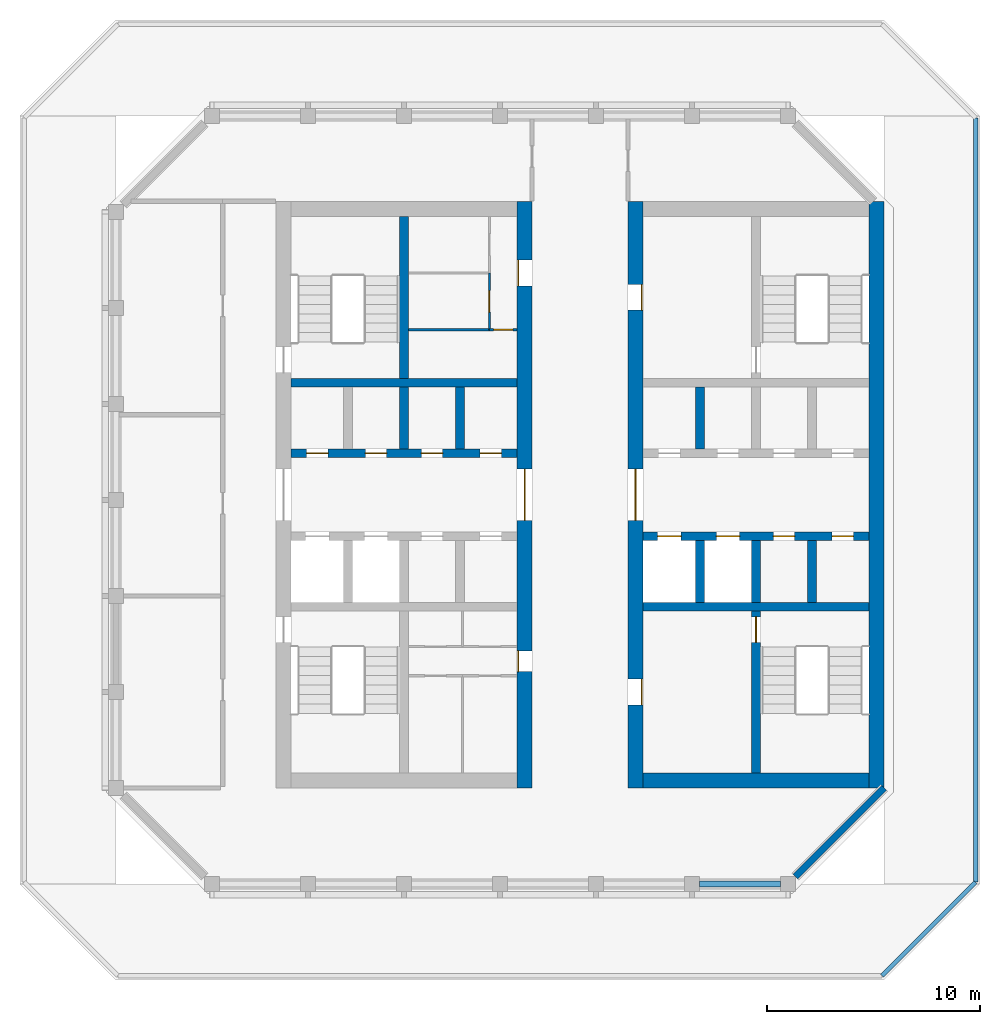
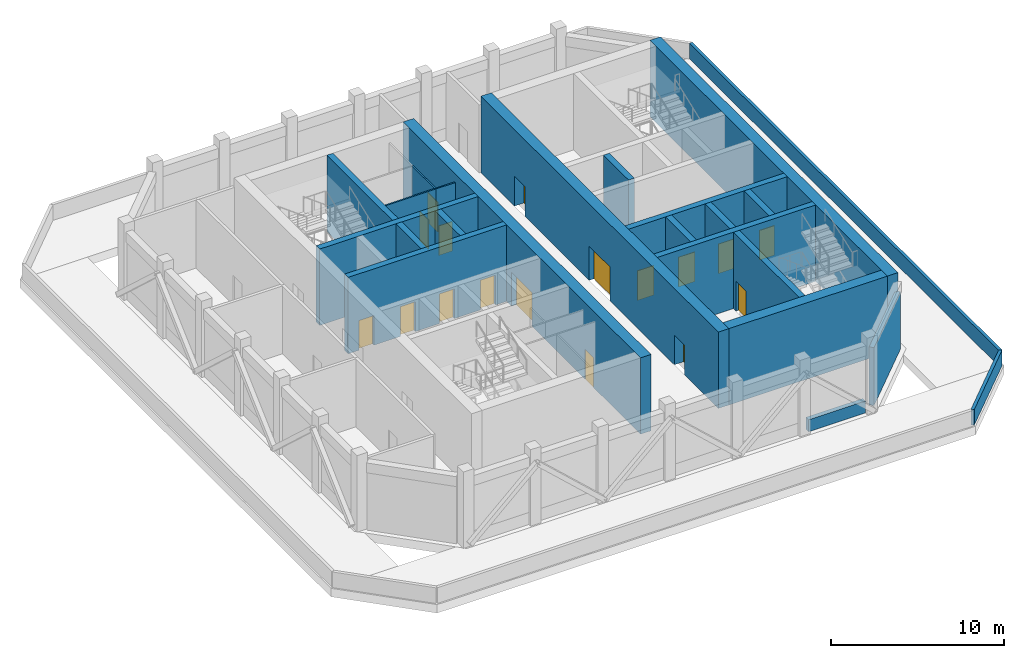
# One storey, part 3 of 8: 23 walls, 17 doors, 17 openings.
"""IFC4 building model written with IfcOpenShell, lengths in metres."""

import ifcopenshell
import ifcopenshell.guid

model = None  # the IFC model being written
_history = None  # IfcOwnerHistory: only IFC2X3 demands one
_inside = {}  # id of a spatial element -> (the spatial element, [elements in it])
_under = {}  # id of a project, library or spatial element -> (it, [spatial elements below it])
_declared = {}  # id of a project -> (the project, [libraries it declares])
_typed = {}  # id of a type object -> (the type object, [elements of that type])
_made_of = {}  # id of a material, layer set ... -> (it, [elements and type objects made of it])


def new_model(schema):
    """Start an empty IFC model of exactly this schema.

    Asked for "IFC4X3", IfcOpenShell would pick the latest addendum, in which some entities
    have other attributes; the version numbers below select the first issue.
    IFC2X3 requires an IfcOwnerHistory on every rooted entity: one is made here for all.
    """
    global model, _history
    if schema == "IFC4X3":
        model = ifcopenshell.file(schema_version=(4, 3, 0, 0))
    else:
        model = ifcopenshell.file(schema=schema)
    _inside.clear()
    _under.clear()
    _declared.clear()
    _typed.clear()
    _made_of.clear()
    _history = None
    if model.schema == "IFC2X3":
        org = make("IfcOrganization", Name="unknown")
        user = make(
            "IfcPersonAndOrganization",
            ThePerson=make("IfcPerson", FamilyName="unknown"),
            TheOrganization=org,
        )
        app = make(
            "IfcApplication",
            ApplicationDeveloper=org,
            Version="unknown",
            ApplicationFullName="unknown",
            ApplicationIdentifier="unknown",
        )
        _history = make(
            "IfcOwnerHistory",
            OwningUser=user,
            OwningApplication=app,
            ChangeAction="ADDED",
            CreationDate=0,
        )
    return model


def make(cls, **values):
    """One entity of the class cls with the attributes given. An attribute that is None is left unset."""
    return model.create_entity(
        cls, **{name: value for name, value in values.items() if value is not None}
    )


def rooted(cls, **values):
    """An entity with a GlobalId (a new one), such as an element, a storey or a relation."""
    return make(cls, GlobalId=ifcopenshell.guid.new(), OwnerHistory=_history, **values)


def si_unit(unit_type, name, prefix=None):
    """IfcSIUnit, for example si_unit("LENGTHUNIT", "METRE", prefix="MILLI")."""
    return make("IfcSIUnit", UnitType=unit_type, Prefix=prefix, Name=name)


def assignment(units):
    """IfcUnitAssignment: the units of a project."""
    return None if units is None else make("IfcUnitAssignment", Units=units)


def point(xyz):
    """IfcCartesianPoint."""
    return None if xyz is None else make("IfcCartesianPoint", Coordinates=xyz)


def direction(xyz):
    """IfcDirection."""
    return None if xyz is None else make("IfcDirection", DirectionRatios=xyz)


def frame(location, z_axis=None, x_axis=None):
    """IfcAxis2Placement3D, a coordinate frame: its origin and axes. An axis left out is left unset."""
    return make(
        "IfcAxis2Placement3D",
        Location=point(location),
        Axis=direction(z_axis),
        RefDirection=direction(x_axis),
    )


def frame_2d(location, x_axis=None):
    """IfcAxis2Placement2D, a coordinate frame in the plane: its origin and x axis."""
    return make(
        "IfcAxis2Placement2D", Location=point(location), RefDirection=direction(x_axis)
    )


def origin():
    """The frame at (0, 0, 0) with its axes left unset."""
    return frame((0.0, 0.0, 0.0))


def place(relative_to, where):
    """IfcLocalPlacement: puts the frame where relative to a parent placement (None: the world)."""
    return make(
        "IfcLocalPlacement", PlacementRelTo=relative_to, RelativePlacement=where
    )


def context(
    kind, dimensions, precision=None, world=None, true_north=None, identifier=None
):
    """IfcGeometricRepresentationContext, for example the 3D "Model" context."""
    return make(
        "IfcGeometricRepresentationContext",
        ContextIdentifier=identifier,
        ContextType=kind,
        CoordinateSpaceDimension=dimensions,
        Precision=precision,
        WorldCoordinateSystem=world,
        TrueNorth=true_north,
    )


def subcontext(parent, identifier, kind, view, scale=None):
    """IfcGeometricRepresentationSubContext, for example "Body" below "Model"."""
    return make(
        "IfcGeometricRepresentationSubContext",
        ContextIdentifier=identifier,
        ContextType=kind,
        ParentContext=parent,
        TargetScale=scale,
        TargetView=view,
    )


def project(units=None, contexts=None):
    """IfcProject with its units and contexts."""
    return rooted(
        "IfcProject",
        Name="project",
        RepresentationContexts=contexts,
        UnitsInContext=assignment(units),
    )


def spatial(cls, under=None, at=None, **own):
    """A site, building, storey or space (cls), placed at a placement, below another one or the project."""
    s = rooted(cls, ObjectPlacement=at, **own)
    if under is not None:
        _under.setdefault(under.id(), (under, []))[1].append(s)
    return s


def profile(cls, at=None, kind="AREA", **sizes):
    """A parametric profile (cls). Its sizes go by their IFC names, for example OverallWidth=200.0."""
    return make(cls, ProfileType=kind, Position=at, **sizes)


def rectangle(**sizes):
    """IfcRectangleProfileDef."""
    return profile("IfcRectangleProfileDef", **sizes)


def extrude(swept, where, along, depth):
    """IfcExtrudedAreaSolid: the profile swept, set in the frame where, extruded along a direction by depth."""
    return make(
        "IfcExtrudedAreaSolid",
        SweptArea=swept,
        Position=where,
        ExtrudedDirection=direction(along),
        Depth=depth,
    )


def shape(context_of_items, identifier, shape_type, items):
    """IfcShapeRepresentation: the items that make up one representation, for example the "Body"."""
    return make(
        "IfcShapeRepresentation",
        ContextOfItems=context_of_items,
        RepresentationIdentifier=identifier,
        RepresentationType=shape_type,
        Items=items,
    )


def material(Name=None, Category=None):
    """IfcMaterial."""
    return make("IfcMaterial", Name=Name, Category=Category)


def layer(
    of_material, thickness, ventilated=None, Name=None, Category=None, Priority=None
):
    """IfcMaterialLayer: one layer of a wall or slab, of a material (None: an air gap)."""
    return make(
        "IfcMaterialLayer",
        Material=of_material,
        LayerThickness=thickness,
        IsVentilated=ventilated,
        Name=Name,
        Category=Category,
        Priority=Priority,
    )


def layer_set(layers, Name=None):
    """IfcMaterialLayerSet."""
    return make("IfcMaterialLayerSet", MaterialLayers=layers, LayerSetName=Name)


def made_of(thing, what):
    """Note that an element or type object is made of a material, layer set ...; save() writes the relation."""
    if what is not None:
        _made_of.setdefault(what.id(), (what, []))[1].append(thing)
    return thing


def type_object(cls, material=None, **own):
    """A type object (cls), such as IfcWallType, which elements share."""
    return made_of(rooted(cls, **own), material)


def element(
    cls,
    number,
    at=None,
    inside=None,
    cuts=None,
    type_object=None,
    material=None,
    context=None,
    identifier="Body",
    shape_type=None,
    held_by="IfcProductDefinitionShape",
    body=None,
    shapes=None,
    **own,
):
    """One element of the class cls, such as IfcWall. Its Tag is "e" and its number.

    at: its placement. inside: the storey or other place that contains it. cuts: it is an
    opening in that element (IfcRelVoidsElement). A single representation is given by context,
    identifier, shape_type and body (its items); several are given by shapes. held_by: the class
    of the entity that holds the representations. save() writes the other relations.
    """
    e = rooted(cls, Tag="e%d" % number, ObjectPlacement=at, **own)
    if body is not None:
        shapes = [shape(context, identifier, shape_type, body)]
    if shapes is not None:
        e.Representation = make(held_by, Representations=shapes)
    if inside is not None:
        _inside.setdefault(inside.id(), (inside, []))[1].append(e)
    if cuts is not None:
        rooted(
            "IfcRelVoidsElement", RelatingBuildingElement=cuts, RelatedOpeningElement=e
        )
    if type_object is not None:
        _typed.setdefault(type_object.id(), (type_object, []))[1].append(e)
    return made_of(e, material)


def fill(opening, filler):
    """IfcRelFillsElement: the door or window that sits in an opening."""
    return rooted(
        "IfcRelFillsElement",
        RelatingOpeningElement=opening,
        RelatedBuildingElement=filler,
    )


def aggregate(whole, parts):
    """IfcRelAggregates: a whole, such as a stair, and the parts it consists of."""
    return rooted("IfcRelAggregates", RelatingObject=whole, RelatedObjects=parts)


def save(model, path):
    """Write the relations noted so far, then the file.

    IfcRelAggregates (storeys below a building ...), IfcRelContainedInSpatialStructure (elements
    in a storey), IfcRelDefinesByType, IfcRelAssociatesMaterial and IfcRelDeclares: one each for
    every whole, place, type object, material and project.
    """
    for whole, parts in _under.values():
        aggregate(whole, parts)
    for where, things in _inside.values():
        rooted(
            "IfcRelContainedInSpatialStructure",
            RelatedElements=things,
            RelatingStructure=where,
        )
    for kind, things in _typed.values():
        rooted("IfcRelDefinesByType", RelatedObjects=things, RelatingType=kind)
    for what, things in _made_of.values():
        rooted("IfcRelAssociatesMaterial", RelatedObjects=things, RelatingMaterial=what)
    for by, libraries in _declared.values():
        rooted("IfcRelDeclares", RelatingContext=by, RelatedDefinitions=libraries)
    model.write(path)


model = new_model("IFC4")

# Units and contexts
model_context = context("Model", 3, precision=1e-05, world=origin(), true_north=direction((0.0, 1.0)))
body_context = subcontext(model_context, "Body", "Model", "MODEL_VIEW")
ifc_project = project(units=[si_unit("LENGTHUNIT", "METRE"), si_unit("AREAUNIT", "SQUARE_METRE"), si_unit("VOLUMEUNIT", "CUBIC_METRE"), si_unit("PLANEANGLEUNIT", "RADIAN"), si_unit("MASSUNIT", "GRAM", prefix="KILO")], contexts=[model_context])

# Site, building, storey
site_placement = place(None, origin())
site = spatial("IfcSite", under=ifc_project, at=site_placement, CompositionType="ELEMENT")
building_placement = place(site_placement, origin())
building = spatial("IfcBuilding", under=site, at=building_placement, Name="Corbel Stack Research Tower", CompositionType="ELEMENT")
storey_placement = place(building_placement, frame((0.0, 0.0, 301.0)))
storey = spatial("IfcBuildingStorey", under=building, at=storey_placement, Name="L68", CompositionType="ELEMENT", Elevation=301.0)

# Wall, openings, doors
ifc_material_1 = material(Name="Concrete C60/75", Category="concrete")
ifc_layer_1 = layer(ifc_material_1, 0.39990234375)
ifc_layer_set_1 = layer_set([ifc_layer_1], Name="Concrete C60/75")
wall_type_1 = type_object("IfcWallType", Name="CW-400-60", PredefinedType="SHEAR", material=ifc_layer_set_1)
wall_1_placement = place(storey_placement, frame((-9.800048828125, 6.699951171875, 0.0), z_axis=(0.0, 0.0, 1.0), x_axis=(1.0, 0.0, 0.0)))
wall_1 = element("IfcWall", 1, at=wall_1_placement, inside=storey, type_object=wall_type_1, Name="West core wall, lobby north L68", PredefinedType="SHEAR", context=body_context, shape_type="SweptSolid", body=[
    extrude(rectangle(XDim=10.60009765625, YDim=0.39990234375, at=frame_2d((5.300048828125, 0.0))), origin(), (0.0, 0.0, 1.0), 5.39990234375),
])
opening_1_placement = place(wall_1_placement, frame((0.737548828125, 0.0, 0.0)))
opening_1 = element("IfcOpeningElement", 2, at=opening_1_placement, cuts=wall_1, Name="Opening CR-W54-N1", PredefinedType="OPENING", context=body_context, shape_type="SweptSolid", body=[
    extrude(rectangle(XDim=1.0, YDim=2.10009765625, at=frame_2d((0.5, 1.050048828125))), frame((0.0, 0.2099609375, 0.0), z_axis=(0.0, -1.0, 0.0), x_axis=(1.0, 0.0, 0.0)), (0.0, 0.0, 1.0), 0.419921875),
])
opening_2_placement = place(wall_1_placement, frame((3.487548828125, 0.0, 0.0)))
opening_2 = element("IfcOpeningElement", 3, at=opening_2_placement, cuts=wall_1, Name="Opening CR-W54-N2", PredefinedType="OPENING", context=body_context, shape_type="SweptSolid", body=[
    extrude(rectangle(XDim=1.0, YDim=2.10009765625, at=frame_2d((0.5, 1.050048828125))), frame((0.0, 0.2099609375, 0.0), z_axis=(0.0, -1.0, 0.0), x_axis=(1.0, 0.0, 0.0)), (0.0, 0.0, 1.0), 0.419921875),
])
opening_3_placement = place(wall_1_placement, frame((6.112548828125, 0.0, 0.0)))
opening_3 = element("IfcOpeningElement", 4, at=opening_3_placement, cuts=wall_1, Name="Opening CR-W54-N3", PredefinedType="OPENING", context=body_context, shape_type="SweptSolid", body=[
    extrude(rectangle(XDim=1.0, YDim=2.10009765625, at=frame_2d((0.5, 1.050048828125))), frame((0.0, 0.2099609375, 0.0), z_axis=(0.0, -1.0, 0.0), x_axis=(1.0, 0.0, 0.0)), (0.0, 0.0, 1.0), 0.419921875),
])
opening_4_placement = place(wall_1_placement, frame((8.862548828125, 0.0, 0.0)))
opening_4 = element("IfcOpeningElement", 5, at=opening_4_placement, cuts=wall_1, Name="Opening CR-W54-N4", PredefinedType="OPENING", context=body_context, shape_type="SweptSolid", body=[
    extrude(rectangle(XDim=1.0, YDim=2.10009765625, at=frame_2d((0.5, 1.050048828125))), frame((0.0, 0.2099609375, 0.0), z_axis=(0.0, -1.0, 0.0), x_axis=(1.0, 0.0, 0.0)), (0.0, 0.0, 1.0), 0.419921875),
])
ifc_material_2 = material(Name="Painted steel door", Category="steel")
door_type_1 = type_object("IfcDoorType", Name="Service door 1000 x 2100 FD60 left hand", OperationType="SINGLE_SWING_LEFT", PredefinedType="DOOR", material=ifc_material_2)
door_1_placement = place(opening_1_placement, origin())
door_1 = element("IfcDoor", 6, at=door_1_placement, inside=storey, type_object=door_type_1, Name="Electrical switch room door W core", OperationType="SINGLE_SWING_LEFT", OverallHeight=2.10009765625, OverallWidth=1.0, PredefinedType="DOOR", context=body_context, shape_type="SweptSolid", body=[
    extrude(rectangle(XDim=1.0, YDim=2.10009765625, at=frame_2d((0.5, 1.050048828125))), frame((0.0, 0.02490234375, 0.0), z_axis=(0.0, -1.0, 0.0), x_axis=(1.0, 0.0, 0.0)), (0.0, 0.0, 1.0), 0.050048828125),
])
fill(opening_1, door_1)
door_2_placement = place(opening_3_placement, origin())
door_2 = element("IfcDoor", 7, at=door_2_placement, inside=storey, type_object=door_type_1, Name="Telecom plant room door W core", OperationType="SINGLE_SWING_LEFT", OverallHeight=2.10009765625, OverallWidth=1.0, PredefinedType="DOOR", context=body_context, shape_type="SweptSolid", body=[
    extrude(rectangle(XDim=1.0, YDim=2.10009765625, at=frame_2d((0.5, 1.050048828125))), frame((0.0, 0.02490234375, 0.0), z_axis=(0.0, -1.0, 0.0), x_axis=(1.0, 0.0, 0.0)), (0.0, 0.0, 1.0), 0.050048828125),
])
fill(opening_3, door_2)
ifc_material_3 = material(Name="Painted steel door", Category="steel")
door_type_2 = type_object("IfcDoorType", Name="Service door 1000 x 2100 FD60 right hand", OperationType="SINGLE_SWING_RIGHT", PredefinedType="DOOR", material=ifc_material_3)
door_3_placement = place(opening_2_placement, origin())
door_3 = element("IfcDoor", 8, at=door_3_placement, inside=storey, type_object=door_type_2, Name="Electrical switch room door W core", OperationType="SINGLE_SWING_RIGHT", OverallHeight=2.10009765625, OverallWidth=1.0, PredefinedType="DOOR", context=body_context, shape_type="SweptSolid", body=[
    extrude(rectangle(XDim=1.0, YDim=2.10009765625, at=frame_2d((0.5, 1.050048828125))), frame((0.0, 0.02490234375, 0.0), z_axis=(0.0, -1.0, 0.0), x_axis=(1.0, 0.0, 0.0)), (0.0, 0.0, 1.0), 0.050048828125),
])
fill(opening_2, door_3)
door_4_placement = place(opening_4_placement, origin())
door_4 = element("IfcDoor", 9, at=door_4_placement, inside=storey, type_object=door_type_2, Name="Telecom plant room door W core", OperationType="SINGLE_SWING_RIGHT", OverallHeight=2.10009765625, OverallWidth=1.0, PredefinedType="DOOR", context=body_context, shape_type="SweptSolid", body=[
    extrude(rectangle(XDim=1.0, YDim=2.10009765625, at=frame_2d((0.5, 1.050048828125))), frame((0.0, 0.02490234375, 0.0), z_axis=(0.0, -1.0, 0.0), x_axis=(1.0, 0.0, 0.0)), (0.0, 0.0, 1.0), 0.050048828125),
])
fill(opening_4, door_4)

# Walls
wall_2_placement = place(storey_placement, frame((-9.800048828125, 10.0, 0.0), z_axis=(0.0, 0.0, 1.0), x_axis=(1.0, 0.0, 0.0)))
element("IfcWall", 10, at=wall_2_placement, inside=storey, type_object=wall_type_1, Name="West core wall, north row back L68", PredefinedType="SHEAR", context=body_context, shape_type="SweptSolid", body=[
    extrude(rectangle(XDim=10.60009765625, YDim=0.39990234375, at=frame_2d((5.300048828125, 0.0))), origin(), (0.0, 0.0, 1.0), 5.39990234375),
])
for number, where, z_axis, x_axis, name in (
    (11, (-4.5, 6.89990234375, 0.0), (0.0, 0.0, 1.0), (0.0, 1.0, 0.0), "West core wall, north shaft 2 L68"),
    (12, (-1.875, 6.89990234375, 0.0), (0.0, 0.0, 1.0), (0.0, 1.0, 0.0), "West core wall, north shaft 3 L68"),
):
    element("IfcWall", number, at=place(storey_placement, frame(where, z_axis=z_axis, x_axis=x_axis)), inside=storey, type_object=wall_type_1, Name=name, PredefinedType="SHEAR", context=body_context, shape_type="SweptSolid", body=[
        extrude(rectangle(XDim=2.900146484375, YDim=0.39990234375, at=frame_2d((1.4501953125, 0.0))), origin(), (0.0, 0.0, 1.0), 5.39990234375),
    ])
wall_3_placement = place(storey_placement, frame((-4.5, 10.199951171875, 0.0), z_axis=(0.0, 0.0, 1.0), x_axis=(0.0, 1.0, 0.0)))
element("IfcWall", 13, at=wall_3_placement, inside=storey, type_object=wall_type_1, Name="West core wall, north stair and riser L68", PredefinedType="SHEAR", context=body_context, shape_type="SweptSolid", body=[
    extrude(rectangle(XDim=7.60009765625, YDim=0.39990234375, at=frame_2d((3.800048828125, 0.0))), origin(), (0.0, 0.0, 1.0), 5.39990234375),
])
wall_4_placement = place(storey_placement, frame((6.699951171875, -0.5, 0.0), z_axis=(0.0, 0.0, 1.0), x_axis=(1.0, 0.0, 0.0)))
element("IfcWall", 14, at=wall_4_placement, inside=storey, type_object=wall_type_1, Name="East core wall, south row back L68", PredefinedType="SHEAR", context=body_context, shape_type="SweptSolid", body=[
    extrude(rectangle(XDim=10.60009765625, YDim=0.39990234375, at=frame_2d((5.300048828125, 0.0))), origin(), (0.0, 0.0, 1.0), 5.39990234375),
])

# Wall, openings, doors
wall_5_placement = place(storey_placement, frame((6.699951171875, 2.800048828125, 0.0), z_axis=(0.0, 0.0, 1.0), x_axis=(1.0, 0.0, 0.0)))
wall_5 = element("IfcWall", 15, at=wall_5_placement, inside=storey, type_object=wall_type_1, Name="East core wall, lobby south L68", PredefinedType="SHEAR", context=body_context, shape_type="SweptSolid", body=[
    extrude(rectangle(XDim=10.60009765625, YDim=0.39990234375, at=frame_2d((5.300048828125, 0.0))), origin(), (0.0, 0.0, 1.0), 5.39990234375),
])
opening_5_placement = place(wall_5_placement, frame((0.6875, 0.0, 0.0)))
opening_5 = element("IfcOpeningElement", 16, at=opening_5_placement, cuts=wall_5, Name="Opening LD-FS2", PredefinedType="OPENING", context=body_context, shape_type="SweptSolid", body=[
    extrude(rectangle(XDim=1.10009765625, YDim=2.10009765625, at=frame_2d((0.550048828125, 1.050048828125))), frame((0.0, 0.2099609375, 0.0), z_axis=(0.0, -1.0, 0.0), x_axis=(1.0, 0.0, 0.0)), (0.0, 0.0, 1.0), 0.419921875),
])
opening_6_placement = place(wall_5_placement, frame((3.4375, 0.0, 0.0)))
opening_6 = element("IfcOpeningElement", 17, at=opening_6_placement, cuts=wall_5, Name="Opening LD-GL2", PredefinedType="OPENING", context=body_context, shape_type="SweptSolid", body=[
    extrude(rectangle(XDim=1.10009765625, YDim=2.10009765625, at=frame_2d((0.550048828125, 1.050048828125))), frame((0.0, 0.2099609375, 0.0), z_axis=(0.0, -1.0, 0.0), x_axis=(1.0, 0.0, 0.0)), (0.0, 0.0, 1.0), 0.419921875),
])
opening_7_placement = place(wall_5_placement, frame((6.112548828125, 0.0, 0.0)))
opening_7 = element("IfcOpeningElement", 18, at=opening_7_placement, cuts=wall_5, Name="Opening CR-E54v-S3", PredefinedType="OPENING", context=body_context, shape_type="SweptSolid", body=[
    extrude(rectangle(XDim=1.0, YDim=2.10009765625, at=frame_2d((0.5, 1.050048828125))), frame((0.0, 0.2099609375, 0.0), z_axis=(0.0, -1.0, 0.0), x_axis=(1.0, 0.0, 0.0)), (0.0, 0.0, 1.0), 0.419921875),
])
opening_8_placement = place(wall_5_placement, frame((8.862548828125, 0.0, 0.0)))
opening_8 = element("IfcOpeningElement", 19, at=opening_8_placement, cuts=wall_5, Name="Opening CR-E54v-S4", PredefinedType="OPENING", context=body_context, shape_type="SweptSolid", body=[
    extrude(rectangle(XDim=1.0, YDim=2.10009765625, at=frame_2d((0.5, 1.050048828125))), frame((0.0, 0.2099609375, 0.0), z_axis=(0.0, -1.0, 0.0), x_axis=(1.0, 0.0, 0.0)), (0.0, 0.0, 1.0), 0.419921875),
])
ifc_material_4 = material(Name="Stainless steel landing door", Category="steel")
door_type_3 = type_object("IfcDoorType", Name="Lift landing door 1100 x 2100", OperationType="DOUBLE_DOOR_SLIDING", PredefinedType="DOOR", material=ifc_material_4)
door_5_placement = place(opening_5_placement, origin())
door_5 = element("IfcDoor", 20, at=door_5_placement, inside=storey, type_object=door_type_3, Name="Landing door FS2", OperationType="DOUBLE_DOOR_SLIDING", OverallHeight=2.10009765625, OverallWidth=1.10009765625, PredefinedType="DOOR", context=body_context, shape_type="SweptSolid", body=[
    extrude(rectangle(XDim=1.10009765625, YDim=2.10009765625, at=frame_2d((0.550048828125, 1.050048828125))), frame((0.0, 0.02490234375, 0.0), z_axis=(0.0, -1.0, 0.0), x_axis=(1.0, 0.0, 0.0)), (0.0, 0.0, 1.0), 0.050048828125),
])
fill(opening_5, door_5)
door_6_placement = place(opening_6_placement, origin())
door_6 = element("IfcDoor", 21, at=door_6_placement, inside=storey, type_object=door_type_3, Name="Landing door GL2", OperationType="DOUBLE_DOOR_SLIDING", OverallHeight=2.10009765625, OverallWidth=1.10009765625, PredefinedType="DOOR", context=body_context, shape_type="SweptSolid", body=[
    extrude(rectangle(XDim=1.10009765625, YDim=2.10009765625, at=frame_2d((0.550048828125, 1.050048828125))), frame((0.0, 0.02490234375, 0.0), z_axis=(0.0, -1.0, 0.0), x_axis=(1.0, 0.0, 0.0)), (0.0, 0.0, 1.0), 0.050048828125),
])
fill(opening_6, door_6)
door_7_placement = place(opening_7_placement, origin())
door_7 = element("IfcDoor", 22, at=door_7_placement, inside=storey, type_object=door_type_1, Name="Mechanical room door E core", OperationType="SINGLE_SWING_LEFT", OverallHeight=2.10009765625, OverallWidth=1.0, PredefinedType="DOOR", context=body_context, shape_type="SweptSolid", body=[
    extrude(rectangle(XDim=1.0, YDim=2.10009765625, at=frame_2d((0.5, 1.050048828125))), frame((0.0, 0.02490234375, 0.0), z_axis=(0.0, -1.0, 0.0), x_axis=(1.0, 0.0, 0.0)), (0.0, 0.0, 1.0), 0.050048828125),
])
fill(opening_7, door_7)
door_8_placement = place(opening_8_placement, origin())
door_8 = element("IfcDoor", 23, at=door_8_placement, inside=storey, type_object=door_type_2, Name="Mechanical room door E core", OperationType="SINGLE_SWING_RIGHT", OverallHeight=2.10009765625, OverallWidth=1.0, PredefinedType="DOOR", context=body_context, shape_type="SweptSolid", body=[
    extrude(rectangle(XDim=1.0, YDim=2.10009765625, at=frame_2d((0.5, 1.050048828125))), frame((0.0, 0.02490234375, 0.0), z_axis=(0.0, -1.0, 0.0), x_axis=(1.0, 0.0, 0.0)), (0.0, 0.0, 1.0), 0.050048828125),
])
fill(opening_8, door_8)

# Walls
for number, where, z_axis, x_axis, name in (
    (24, (9.375, -0.300048828125, 0.0), (0.0, 0.0, 1.0), (0.0, 1.0, 0.0), "East core wall, south shaft 1 L68"),
    (25, (9.375, 6.89990234375, 0.0), (0.0, 0.0, 1.0), (0.0, 1.0, 0.0), "East core wall, north shaft 1 L68"),
    (26, (12.0, -0.300048828125, 0.0), (0.0, 0.0, 1.0), (0.0, 1.0, 0.0), "East core wall, south shaft 2 L68"),
    (27, (14.625, -0.300048828125, 0.0), (0.0, 0.0, 1.0), (0.0, 1.0, 0.0), "East core wall, south shaft 3 L68"),
):
    element("IfcWall", number, at=place(storey_placement, frame(where, z_axis=z_axis, x_axis=x_axis)), inside=storey, type_object=wall_type_1, Name=name, PredefinedType="SHEAR", context=body_context, shape_type="SweptSolid", body=[
        extrude(rectangle(XDim=2.900146484375, YDim=0.39990234375, at=frame_2d((1.4501953125, 0.0))), origin(), (0.0, 0.0, 1.0), 5.39990234375),
    ])

# Wall, opening, door
wall_6_placement = place(storey_placement, frame((12.0, -8.300048828125, 0.0), z_axis=(0.0, 0.0, 1.0), x_axis=(0.0, 1.0, 0.0)))
wall_6 = element("IfcWall", 28, at=wall_6_placement, inside=storey, type_object=wall_type_1, Name="East core wall, south stair and WC L68", PredefinedType="SHEAR", context=body_context, shape_type="SweptSolid", body=[
    extrude(rectangle(XDim=7.60009765625, YDim=0.39990234375, at=frame_2d((3.800048828125, 0.0))), origin(), (0.0, 0.0, 1.0), 5.39990234375),
])
opening_9_placement = place(wall_6_placement, frame((6.125, 0.0, 0.0)))
opening_9 = element("IfcOpeningElement", 29, at=opening_9_placement, cuts=wall_6, Name="Opening SD-ST-E1", PredefinedType="OPENING", context=body_context, shape_type="SweptSolid", body=[
    extrude(rectangle(XDim=1.199951171875, YDim=2.10009765625, at=frame_2d((0.60009765625, 1.050048828125))), frame((0.0, 0.2099609375, 0.0), z_axis=(0.0, -1.0, 0.0), x_axis=(1.0, 0.0, 0.0)), (0.0, 0.0, 1.0), 0.419921875),
])
ifc_material_5 = material(Name="Painted steel fire door", Category="steel")
door_type_4 = type_object("IfcDoorType", Name="Stair door 1200 x 2100 FD90 right hand", OperationType="SINGLE_SWING_RIGHT", PredefinedType="DOOR", material=ifc_material_5)
door_9_placement = place(opening_9_placement, origin())
door_9 = element("IfcDoor", 30, at=door_9_placement, inside=storey, type_object=door_type_4, Name="Stair door ST-E1", OperationType="SINGLE_SWING_RIGHT", OverallHeight=2.10009765625, OverallWidth=1.199951171875, PredefinedType="DOOR", context=body_context, shape_type="SweptSolid", body=[
    extrude(rectangle(XDim=1.199951171875, YDim=2.10009765625, at=frame_2d((0.60009765625, 1.050048828125))), frame((0.0, 0.02490234375, 0.0), z_axis=(0.0, -1.0, 0.0), x_axis=(1.0, 0.0, 0.0)), (0.0, 0.0, 1.0), 0.050048828125),
])
fill(opening_9, door_9)

# Wall, openings, doors
ifc_material_6 = material(Name="Concrete C60/75", Category="concrete")
ifc_layer_2 = layer(ifc_material_6, 0.699951171875)
ifc_layer_set_2 = layer_set([ifc_layer_2], Name="Concrete C60/75")
wall_type_2 = type_object("IfcWallType", Name="CW-700-60", PredefinedType="SHEAR", material=ifc_layer_set_2)
wall_7_placement = place(storey_placement, frame((1.14990234375, -9.0, 0.0), z_axis=(0.0, 0.0, 1.0), x_axis=(0.0, 1.0, 0.0)))
wall_7 = element("IfcWall", 31, at=wall_7_placement, inside=storey, type_object=wall_type_2, Name="West core wall, east face L68", PredefinedType="SHEAR", context=body_context, shape_type="SweptSolid", body=[
    extrude(rectangle(XDim=27.5, YDim=0.699951171875, at=frame_2d((13.75, 0.0))), origin(), (0.0, 0.0, 1.0), 5.39990234375),
])
opening_10_placement = place(wall_7_placement, frame((12.550048828125, 0.0, 0.0)))
opening_10 = element("IfcOpeningElement", 32, at=opening_10_placement, cuts=wall_7, Name="Opening CD-W-E", PredefinedType="OPENING", context=body_context, shape_type="SweptSolid", body=[
    extrude(rectangle(XDim=2.39990234375, YDim=2.39990234375, at=frame_2d((1.199951171875, 1.199951171875))), frame((0.0, 0.35986328125, 0.0), z_axis=(0.0, -1.0, 0.0), x_axis=(1.0, 0.0, 0.0)), (0.0, 0.0, 1.0), 0.719970703125),
])
opening_11_placement = place(wall_7_placement, frame((5.4599609375, 0.0, 0.0)))
opening_11 = element("IfcOpeningElement", 33, at=opening_11_placement, cuts=wall_7, Name="Opening CR-W54-W1-968", PredefinedType="OPENING", context=body_context, shape_type="SweptSolid", body=[
    extrude(rectangle(XDim=0.968017578125, YDim=2.10009765625, at=frame_2d((0.48388671875, 1.050048828125))), frame((0.0, 0.35986328125, 0.0), z_axis=(0.0, -1.0, 0.0), x_axis=(1.0, 0.0, 0.0)), (0.0, 0.0, 1.0), 0.719970703125),
])
opening_12_placement = place(wall_7_placement, frame((23.5400390625, 0.0, 0.0)))
opening_12 = element("IfcOpeningElement", 34, at=opening_12_placement, cuts=wall_7, Name="Opening CR-W54-R2-1200", PredefinedType="OPENING", context=body_context, shape_type="SweptSolid", body=[
    extrude(rectangle(XDim=1.199951171875, YDim=2.10009765625, at=frame_2d((0.60009765625, 1.050048828125))), frame((0.0, 0.35986328125, 0.0), z_axis=(0.0, -1.0, 0.0), x_axis=(1.0, 0.0, 0.0)), (0.0, 0.0, 1.0), 0.719970703125),
])
ifc_material_7 = material(Name="Painted steel fire door", Category="steel")
door_type_5 = type_object("IfcDoorType", Name="Lobby door pair 2400 x 2400 FD30S", OperationType="DOUBLE_DOOR_DOUBLE_SWING", PredefinedType="DOOR", material=ifc_material_7)
door_10_placement = place(opening_10_placement, origin())
door_10 = element("IfcDoor", 35, at=door_10_placement, inside=storey, type_object=door_type_5, Name="Lift lobby door W core E", OperationType="DOUBLE_DOOR_DOUBLE_SWING", OverallHeight=2.39990234375, OverallWidth=2.39990234375, PredefinedType="DOOR", context=body_context, shape_type="SweptSolid", body=[
    extrude(rectangle(XDim=2.39990234375, YDim=2.39990234375, at=frame_2d((1.199951171875, 1.199951171875))), frame((0.0, 0.02490234375, 0.0), z_axis=(0.0, -1.0, 0.0), x_axis=(1.0, 0.0, 0.0)), (0.0, 0.0, 1.0), 0.050048828125),
])
fill(opening_10, door_10)
ifc_material_8 = material(Name="Painted steel door", Category="steel")
door_type_6 = type_object("IfcDoorType", Name="Service door 1200 x 2100 FD30 right hand", OperationType="SINGLE_SWING_RIGHT", PredefinedType="DOOR", material=ifc_material_8)
door_11_placement = place(opening_12_placement, origin())
door_11 = element("IfcDoor", 36, at=door_11_placement, inside=storey, type_object=door_type_6, Name="Plant passage door W core", OperationType="SINGLE_SWING_RIGHT", OverallHeight=2.10009765625, OverallWidth=1.199951171875, PredefinedType="DOOR", context=body_context, shape_type="SweptSolid", body=[
    extrude(rectangle(XDim=1.199951171875, YDim=2.10009765625, at=frame_2d((0.60009765625, 1.050048828125))), frame((0.0, 0.3251953125, 0.0), z_axis=(0.0, -1.0, 0.0), x_axis=(1.0, 0.0, 0.0)), (0.0, 0.0, 1.0), 0.050048828125),
])
fill(opening_12, door_11)
ifc_material_9 = material(Name="Painted timber door", Category="wood")
door_type_7 = type_object("IfcDoorType", Name="WC door 968 x 2100 left hand", OperationType="SINGLE_SWING_LEFT", PredefinedType="DOOR", material=ifc_material_9)
door_12_placement = place(opening_11_placement, origin())
door_12 = element("IfcDoor", 37, at=door_12_placement, inside=storey, type_object=door_type_7, Name="WC lobby door W core", OperationType="SINGLE_SWING_LEFT", OverallHeight=2.10009765625, OverallWidth=0.968017578125, PredefinedType="DOOR", context=body_context, shape_type="SweptSolid", body=[
    extrude(rectangle(XDim=0.968017578125, YDim=2.10009765625, at=frame_2d((0.48388671875, 1.050048828125))), frame((0.0, 0.3251953125, 0.0), z_axis=(0.0, -1.0, 0.0), x_axis=(1.0, 0.0, 0.0)), (0.0, 0.0, 1.0), 0.050048828125),
])
fill(opening_11, door_12)

wall_8_placement = place(storey_placement, frame((6.35009765625, -9.0, 0.0), z_axis=(0.0, 0.0, 1.0), x_axis=(0.0, 1.0, 0.0)))
wall_8 = element("IfcWall", 38, at=wall_8_placement, inside=storey, type_object=wall_type_2, Name="East core wall, west face L68", PredefinedType="SHEAR", context=body_context, shape_type="SweptSolid", body=[
    extrude(rectangle(XDim=27.5, YDim=0.699951171875, at=frame_2d((13.75, 0.0))), origin(), (0.0, 0.0, 1.0), 5.39990234375),
])
opening_13_placement = place(wall_8_placement, frame((12.550048828125, 0.0, 0.0)))
opening_13 = element("IfcOpeningElement", 39, at=opening_13_placement, cuts=wall_8, Name="Opening CD-E-W", PredefinedType="OPENING", context=body_context, shape_type="SweptSolid", body=[
    extrude(rectangle(XDim=2.39990234375, YDim=2.39990234375, at=frame_2d((1.199951171875, 1.199951171875))), frame((0.0, 0.35986328125, 0.0), z_axis=(0.0, -1.0, 0.0), x_axis=(1.0, 0.0, 0.0)), (0.0, 0.0, 1.0), 0.719970703125),
])
opening_14_placement = place(wall_8_placement, frame((3.89990234375, 0.0, 0.0)))
opening_14 = element("IfcOpeningElement", 40, at=opening_14_placement, cuts=wall_8, Name="Opening CR-E54v-W1-1200", PredefinedType="OPENING", context=body_context, shape_type="SweptSolid", body=[
    extrude(rectangle(XDim=1.199951171875, YDim=2.10009765625, at=frame_2d((0.60009765625, 1.050048828125))), frame((0.0, 0.35986328125, 0.0), z_axis=(0.0, -1.0, 0.0), x_axis=(1.0, 0.0, 0.0)), (0.0, 0.0, 1.0), 0.719970703125),
])
opening_15_placement = place(wall_8_placement, frame((22.39990234375, 0.0, 0.0)))
opening_15 = element("IfcOpeningElement", 41, at=opening_15_placement, cuts=wall_8, Name="Opening CR-E54v-R1-1200", PredefinedType="OPENING", context=body_context, shape_type="SweptSolid", body=[
    extrude(rectangle(XDim=1.199951171875, YDim=2.10009765625, at=frame_2d((0.60009765625, 1.050048828125))), frame((0.0, 0.35986328125, 0.0), z_axis=(0.0, -1.0, 0.0), x_axis=(1.0, 0.0, 0.0)), (0.0, 0.0, 1.0), 0.719970703125),
])
door_13_placement = place(opening_13_placement, origin())
door_13 = element("IfcDoor", 42, at=door_13_placement, inside=storey, type_object=door_type_5, Name="Lift lobby door E core W", OperationType="DOUBLE_DOOR_DOUBLE_SWING", OverallHeight=2.39990234375, OverallWidth=2.39990234375, PredefinedType="DOOR", context=body_context, shape_type="SweptSolid", body=[
    extrude(rectangle(XDim=2.39990234375, YDim=2.39990234375, at=frame_2d((1.199951171875, 1.199951171875))), frame((0.0, 0.02490234375, 0.0), z_axis=(0.0, -1.0, 0.0), x_axis=(1.0, 0.0, 0.0)), (0.0, 0.0, 1.0), 0.050048828125),
])
fill(opening_13, door_13)
ifc_material_10 = material(Name="Painted steel door", Category="steel")
door_type_8 = type_object("IfcDoorType", Name="Service door 1200 x 2100 FD60 right hand", OperationType="SINGLE_SWING_RIGHT", PredefinedType="DOOR", material=ifc_material_10)
door_14_placement = place(opening_14_placement, origin())
door_14 = element("IfcDoor", 43, at=door_14_placement, inside=storey, type_object=door_type_8, Name="Stair vestibule door E core", OperationType="SINGLE_SWING_RIGHT", OverallHeight=2.10009765625, OverallWidth=1.199951171875, PredefinedType="DOOR", context=body_context, shape_type="SweptSolid", body=[
    extrude(rectangle(XDim=1.199951171875, YDim=2.10009765625, at=frame_2d((0.60009765625, 1.050048828125))), frame((0.0, -0.27490234375, 0.0), z_axis=(0.0, -1.0, 0.0), x_axis=(1.0, 0.0, 0.0)), (0.0, 0.0, 1.0), 0.050048828125),
])
fill(opening_14, door_14)
door_15_placement = place(opening_15_placement, origin())
door_15 = element("IfcDoor", 44, at=door_15_placement, inside=storey, type_object=door_type_8, Name="Stair vestibule door E core", OperationType="SINGLE_SWING_RIGHT", OverallHeight=2.10009765625, OverallWidth=1.199951171875, PredefinedType="DOOR", context=body_context, shape_type="SweptSolid", body=[
    extrude(rectangle(XDim=1.199951171875, YDim=2.10009765625, at=frame_2d((0.60009765625, 1.050048828125))), frame((0.0, -0.27490234375, 0.0), z_axis=(0.0, -1.0, 0.0), x_axis=(1.0, 0.0, 0.0)), (0.0, 0.0, 1.0), 0.050048828125),
])
fill(opening_15, door_15)

# Walls
wall_9_placement = place(storey_placement, frame((17.64990234375, -9.0, 0.0), z_axis=(0.0, 0.0, 1.0), x_axis=(0.0, 1.0, 0.0)))
element("IfcWall", 45, at=wall_9_placement, inside=storey, type_object=wall_type_2, Name="East core wall, east face L68", PredefinedType="SHEAR", context=body_context, shape_type="SweptSolid", body=[
    extrude(rectangle(XDim=27.5, YDim=0.699951171875, at=frame_2d((13.75, 0.0))), origin(), (0.0, 0.0, 1.0), 5.39990234375),
])
wall_10_placement = place(storey_placement, frame((6.699951171875, -8.64990234375, 0.0), z_axis=(0.0, 0.0, 1.0), x_axis=(1.0, 0.0, 0.0)))
element("IfcWall", 46, at=wall_10_placement, inside=storey, type_object=wall_type_2, Name="East core wall, south end L68", PredefinedType="SHEAR", context=body_context, shape_type="SweptSolid", body=[
    extrude(rectangle(XDim=10.60009765625, YDim=0.699951171875, at=frame_2d((5.300048828125, 0.0))), origin(), (0.0, 0.0, 1.0), 5.39990234375),
])

# Wall, opening, door
ifc_material_11 = material(Name="Gypsum board")
ifc_layer_3 = layer(ifc_material_11, 0.10009765625)
ifc_layer_set_3 = layer_set([ifc_layer_3], Name="Gypsum board")
wall_type_3 = type_object("IfcWallType", Name="Core partition 100", PredefinedType="PARTITIONING", material=ifc_layer_set_3)
wall_11_placement = place(storey_placement, frame((-0.5, 12.47998046875, 0.0), z_axis=(0.0, 0.0, 1.0), x_axis=(1.0, 0.0, 0.0)))
wall_11 = element("IfcWall", 47, at=wall_11_placement, inside=storey, type_object=wall_type_3, Name="Core partition W", PredefinedType="PARTITIONING", context=body_context, shape_type="SweptSolid", body=[
    extrude(rectangle(XDim=1.300048828125, YDim=0.10009765625, at=frame_2d((0.64990234375, 0.0))), origin(), (0.0, 0.0, 1.0), 4.800048828125),
])
opening_16_placement = place(wall_11_placement, frame((0.199951171875, 0.0, 0.0)))
opening_16 = element("IfcOpeningElement", 48, at=opening_16_placement, cuts=wall_11, Name="Opening CR-W54-R1-900", PredefinedType="OPENING", context=body_context, shape_type="SweptSolid", body=[
    extrude(rectangle(XDim=0.89990234375, YDim=2.10009765625, at=frame_2d((0.449951171875, 1.050048828125))), frame((0.0, 0.06005859375, 0.0), z_axis=(0.0, -1.0, 0.0), x_axis=(1.0, 0.0, 0.0)), (0.0, 0.0, 1.0), 0.1201171875),
])
ifc_material_12 = material(Name="Painted steel door", Category="steel")
door_type_9 = type_object("IfcDoorType", Name="Riser door 900 x 2100 FD60 left hand", OperationType="SINGLE_SWING_LEFT", PredefinedType="DOOR", material=ifc_material_12)
door_16_placement = place(opening_16_placement, origin())
door_16 = element("IfcDoor", 49, at=door_16_placement, inside=storey, type_object=door_type_9, Name="Electrical plant riser door W core", OperationType="SINGLE_SWING_LEFT", OverallHeight=2.10009765625, OverallWidth=0.89990234375, PredefinedType="DOOR", context=body_context, shape_type="SweptSolid", body=[
    extrude(rectangle(XDim=0.89990234375, YDim=2.10009765625, at=frame_2d((0.449951171875, 1.050048828125))), frame((0.0, 0.02490234375, 0.0), z_axis=(0.0, -1.0, 0.0), x_axis=(1.0, 0.0, 0.0)), (0.0, 0.0, 1.0), 0.050048828125),
])
fill(opening_16, door_16)

# Wall
wall_12_placement = place(storey_placement, frame((-4.300048828125, 12.47998046875, 0.0), z_axis=(0.0, 0.0, 1.0), x_axis=(1.0, 0.0, 0.0)))
element("IfcWall", 50, at=wall_12_placement, inside=storey, type_object=wall_type_3, Name="Core partition W", PredefinedType="PARTITIONING", context=body_context, shape_type="SweptSolid", body=[
    extrude(rectangle(XDim=3.800048828125, YDim=0.10009765625, at=frame_2d((1.89990234375, 0.0))), origin(), (0.0, 0.0, 1.0), 4.800048828125),
])

# Wall, opening, door
wall_13_placement = place(storey_placement, frame((-0.5, 12.47998046875, 0.0), z_axis=(0.0, 0.0, 1.0), x_axis=(0.0, 1.0, 0.0)))
wall_13 = element("IfcWall", 51, at=wall_13_placement, inside=storey, type_object=wall_type_3, Name="Core partition W", PredefinedType="PARTITIONING", context=body_context, shape_type="SweptSolid", body=[
    extrude(rectangle(XDim=2.659912109375, YDim=0.10009765625, at=frame_2d((1.330078125, 0.0))), origin(), (0.0, 0.0, 1.0), 4.800048828125),
])
opening_17_placement = place(wall_13_placement, frame((0.830078125, 0.0, 0.0)))
opening_17 = element("IfcOpeningElement", 52, at=opening_17_placement, cuts=wall_13, Name="Opening CR-W54-R3-1000", PredefinedType="OPENING", context=body_context, shape_type="SweptSolid", body=[
    extrude(rectangle(XDim=1.0, YDim=2.10009765625, at=frame_2d((0.5, 1.050048828125))), frame((0.0, 0.06005859375, 0.0), z_axis=(0.0, -1.0, 0.0), x_axis=(1.0, 0.0, 0.0)), (0.0, 0.0, 1.0), 0.1201171875),
])
ifc_material_13 = material(Name="Painted steel door", Category="steel")
door_type_10 = type_object("IfcDoorType", Name="Service door 1000 x 2100 FD30 left hand", OperationType="SINGLE_SWING_LEFT", PredefinedType="DOOR", material=ifc_material_13)
door_17_placement = place(opening_17_placement, origin())
door_17 = element("IfcDoor", 53, at=door_17_placement, inside=storey, type_object=door_type_10, Name="Pantry door W core", OperationType="SINGLE_SWING_LEFT", OverallHeight=2.10009765625, OverallWidth=1.0, PredefinedType="DOOR", context=body_context, shape_type="SweptSolid", body=[
    extrude(rectangle(XDim=1.0, YDim=2.10009765625, at=frame_2d((0.5, 1.050048828125))), frame((0.0, 0.02490234375, 0.0), z_axis=(0.0, -1.0, 0.0), x_axis=(1.0, 0.0, 0.0)), (0.0, 0.0, 1.0), 0.050048828125),
])
fill(opening_17, door_17)

# Walls
ifc_material_14 = material(Name="Concrete C45/55", Category="concrete")
ifc_layer_4 = layer(ifc_material_14, 0.300048828125)
ifc_layer_set_4 = layer_set([ifc_layer_4], Name="Concrete C45/55")
wall_type_4 = type_object("IfcWallType", Name="Precast plant wall 300 C45/55", PredefinedType="SOLIDWALL", material=ifc_layer_set_4)
wall_14_placement = place(storey_placement, frame((9.35009765625, -13.5, 0.0), z_axis=(0.0, 0.0, 1.0), x_axis=(1.0, 0.0, 0.0)))
element("IfcWall", 54, at=wall_14_placement, inside=storey, type_object=wall_type_4, Name="Plant wall base L68-06", PredefinedType="SOLIDWALL", context=body_context, shape_type="SweptSolid", body=[
    extrude(rectangle(XDim=3.7998046875, YDim=0.300048828125, at=frame_2d((1.89990234375, 0.0))), origin(), (0.0, 0.0, 1.0), 0.85009765625),
])
wall_15_placement = place(storey_placement, frame((13.85009765625, -13.14990234375, 0.0), z_axis=(0.0, 0.0, 1.0), x_axis=(0.707106781187, 0.707106781187, 0.0)))
element("IfcWall", 55, at=wall_15_placement, inside=storey, type_object=wall_type_4, Name="Plant wall L68-07", PredefinedType="SOLIDWALL", context=body_context, shape_type="SweptSolid", body=[
    extrude(rectangle(XDim=5.868896484375, YDim=0.300048828125, at=frame_2d((2.9345703125, 0.0))), origin(), (0.0, 0.0, 1.0), 4.10009765625),
])
ifc_material_15 = material(Name="Concrete C45/55", Category="concrete")
ifc_layer_5 = layer(ifc_material_15, 0.199951171875)
ifc_layer_set_5 = layer_set([ifc_layer_5], Name="Concrete C45/55")
wall_type_5 = type_object("IfcWallType", Name="Roof parapet wall 200 C45/55", PredefinedType="PARAPET", material=ifc_layer_set_5)
wall_16_placement = place(storey_placement, frame((22.300048828125, 22.417236328125, 0.0), z_axis=(0.0, 0.0, 1.0), x_axis=(0.0, -1.0, 0.0)))
element("IfcWall", 56, at=wall_16_placement, inside=storey, type_object=wall_type_5, Name="Terrace parapet L68-06", PredefinedType="PARAPET", context=body_context, shape_type="SweptSolid", body=[
    extrude(rectangle(XDim=35.83447265625, YDim=0.199951171875, at=frame_2d((17.917236328125, 0.0))), origin(), (0.0, 0.0, 1.0), 1.10009765625),
])
wall_17_placement = place(storey_placement, frame((22.300048828125, -13.417236328125, 0.0), z_axis=(0.0, 0.0, 1.0), x_axis=(-0.707106781187, -0.707106781187, 0.0)))
element("IfcWall", 57, at=wall_17_placement, inside=storey, type_object=wall_type_5, Name="Terrace parapet L68-07", PredefinedType="PARAPET", context=body_context, shape_type="SweptSolid", body=[
    extrude(rectangle(XDim=6.1982421875, YDim=0.199951171875, at=frame_2d((3.09912109375, 0.0))), origin(), (0.0, 0.0, 1.0), 1.10009765625),
])

save(model, "model.ifc")
